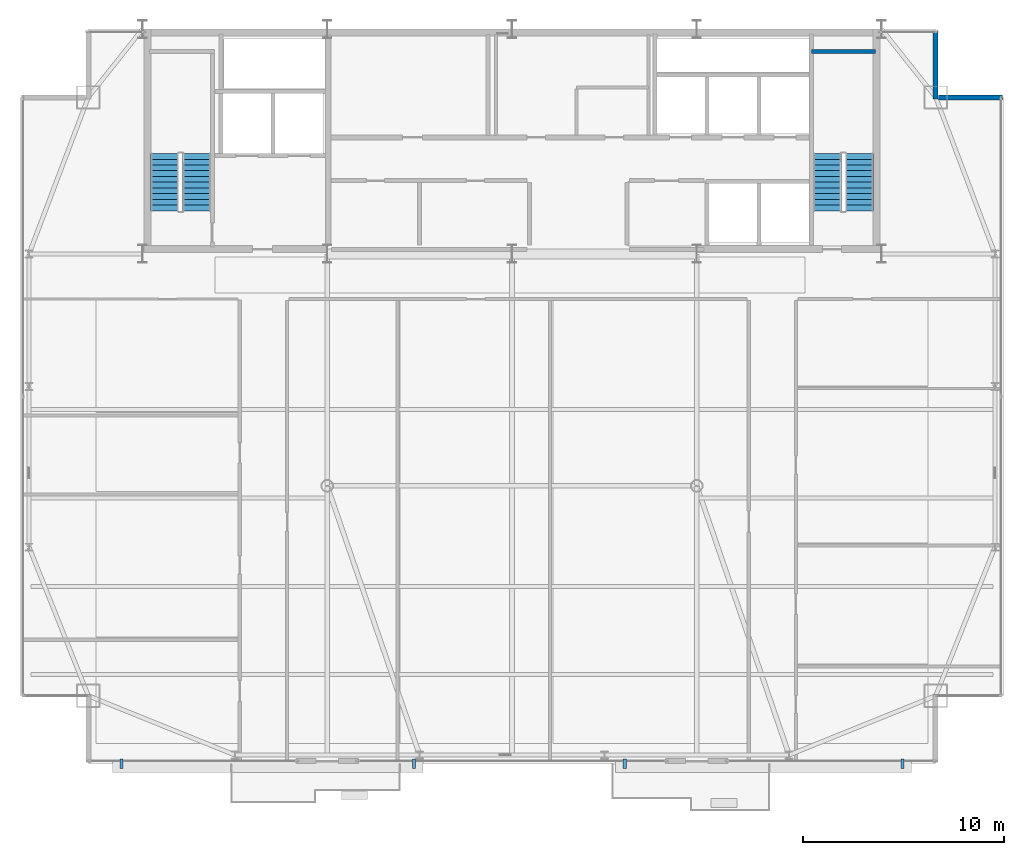
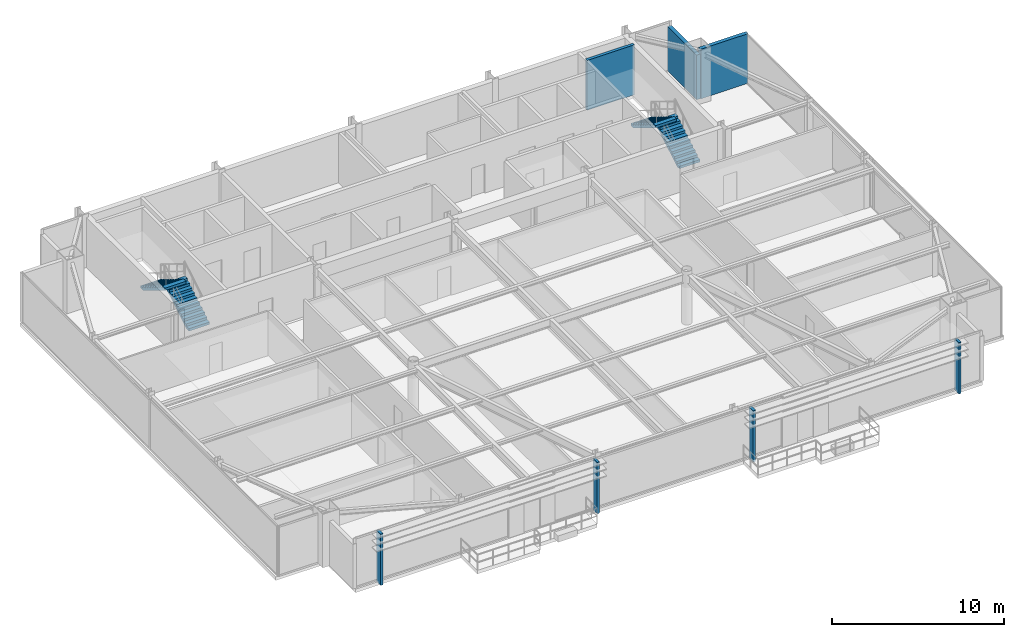
# One storey, part 28 of 30: 4 discrete accessories, 4 stair flights, 3 walls, 2 elements without a shape of their own.
"""IFC4 building model written with IfcOpenShell, lengths in metres."""

import ifcopenshell
import ifcopenshell.guid

model = None  # the IFC model being written
_history = None  # IfcOwnerHistory: only IFC2X3 demands one
_inside = {}  # id of a spatial element -> (the spatial element, [elements in it])
_under = {}  # id of a project, library or spatial element -> (it, [spatial elements below it])
_declared = {}  # id of a project -> (the project, [libraries it declares])
_typed = {}  # id of a type object -> (the type object, [elements of that type])
_made_of = {}  # id of a material, layer set ... -> (it, [elements and type objects made of it])


def new_model(schema):
    """Start an empty IFC model of exactly this schema.

    Asked for "IFC4X3", IfcOpenShell would pick the latest addendum, in which some entities
    have other attributes; the version numbers below select the first issue.
    IFC2X3 requires an IfcOwnerHistory on every rooted entity: one is made here for all.
    """
    global model, _history
    if schema == "IFC4X3":
        model = ifcopenshell.file(schema_version=(4, 3, 0, 0))
    else:
        model = ifcopenshell.file(schema=schema)
    _inside.clear()
    _under.clear()
    _declared.clear()
    _typed.clear()
    _made_of.clear()
    _history = None
    if model.schema == "IFC2X3":
        org = make("IfcOrganization", Name="unknown")
        user = make(
            "IfcPersonAndOrganization",
            ThePerson=make("IfcPerson", FamilyName="unknown"),
            TheOrganization=org,
        )
        app = make(
            "IfcApplication",
            ApplicationDeveloper=org,
            Version="unknown",
            ApplicationFullName="unknown",
            ApplicationIdentifier="unknown",
        )
        _history = make(
            "IfcOwnerHistory",
            OwningUser=user,
            OwningApplication=app,
            ChangeAction="ADDED",
            CreationDate=0,
        )
    return model


def make(cls, **values):
    """One entity of the class cls with the attributes given. An attribute that is None is left unset."""
    return model.create_entity(
        cls, **{name: value for name, value in values.items() if value is not None}
    )


def rooted(cls, **values):
    """An entity with a GlobalId (a new one), such as an element, a storey or a relation."""
    return make(cls, GlobalId=ifcopenshell.guid.new(), OwnerHistory=_history, **values)


def si_unit(unit_type, name, prefix=None):
    """IfcSIUnit, for example si_unit("LENGTHUNIT", "METRE", prefix="MILLI")."""
    return make("IfcSIUnit", UnitType=unit_type, Prefix=prefix, Name=name)


def assignment(units):
    """IfcUnitAssignment: the units of a project."""
    return None if units is None else make("IfcUnitAssignment", Units=units)


def point(xyz):
    """IfcCartesianPoint."""
    return None if xyz is None else make("IfcCartesianPoint", Coordinates=xyz)


def direction(xyz):
    """IfcDirection."""
    return None if xyz is None else make("IfcDirection", DirectionRatios=xyz)


def frame(location, z_axis=None, x_axis=None):
    """IfcAxis2Placement3D, a coordinate frame: its origin and axes. An axis left out is left unset."""
    return make(
        "IfcAxis2Placement3D",
        Location=point(location),
        Axis=direction(z_axis),
        RefDirection=direction(x_axis),
    )


def frame_2d(location, x_axis=None):
    """IfcAxis2Placement2D, a coordinate frame in the plane: its origin and x axis."""
    return make(
        "IfcAxis2Placement2D", Location=point(location), RefDirection=direction(x_axis)
    )


def origin():
    """The frame at (0, 0, 0) with its axes left unset."""
    return frame((0.0, 0.0, 0.0))


def origin_2d():
    """The frame at (0, 0) in the plane with its x axis left unset."""
    return frame_2d((0.0, 0.0))


def place(relative_to, where):
    """IfcLocalPlacement: puts the frame where relative to a parent placement (None: the world)."""
    return make(
        "IfcLocalPlacement", PlacementRelTo=relative_to, RelativePlacement=where
    )


def context(
    kind, dimensions, precision=None, world=None, true_north=None, identifier=None
):
    """IfcGeometricRepresentationContext, for example the 3D "Model" context."""
    return make(
        "IfcGeometricRepresentationContext",
        ContextIdentifier=identifier,
        ContextType=kind,
        CoordinateSpaceDimension=dimensions,
        Precision=precision,
        WorldCoordinateSystem=world,
        TrueNorth=true_north,
    )


def subcontext(parent, identifier, kind, view, scale=None):
    """IfcGeometricRepresentationSubContext, for example "Body" below "Model"."""
    return make(
        "IfcGeometricRepresentationSubContext",
        ContextIdentifier=identifier,
        ContextType=kind,
        ParentContext=parent,
        TargetScale=scale,
        TargetView=view,
    )


def project(units=None, contexts=None):
    """IfcProject with its units and contexts."""
    return rooted(
        "IfcProject",
        Name="project",
        RepresentationContexts=contexts,
        UnitsInContext=assignment(units),
    )


def spatial(cls, under=None, at=None, **own):
    """A site, building, storey or space (cls), placed at a placement, below another one or the project."""
    s = rooted(cls, ObjectPlacement=at, **own)
    if under is not None:
        _under.setdefault(under.id(), (under, []))[1].append(s)
    return s


def polyline(points):
    """IfcPolyline through the points."""
    return make("IfcPolyline", Points=[point(p) for p in points])


def profile(cls, at=None, kind="AREA", **sizes):
    """A parametric profile (cls). Its sizes go by their IFC names, for example OverallWidth=200.0."""
    return make(cls, ProfileType=kind, Position=at, **sizes)


def rectangle(**sizes):
    """IfcRectangleProfileDef."""
    return profile("IfcRectangleProfileDef", **sizes)


def outline(outer, holes=None, kind="AREA"):
    """IfcArbitraryClosedProfileDef: a profile drawn as a closed curve; with holes, ...WithVoids."""
    if holes is None:
        return make("IfcArbitraryClosedProfileDef", ProfileType=kind, OuterCurve=outer)
    return make(
        "IfcArbitraryProfileDefWithVoids",
        ProfileType=kind,
        OuterCurve=outer,
        InnerCurves=holes,
    )


def extrude(swept, where, along, depth):
    """IfcExtrudedAreaSolid: the profile swept, set in the frame where, extruded along a direction by depth."""
    return make(
        "IfcExtrudedAreaSolid",
        SweptArea=swept,
        Position=where,
        ExtrudedDirection=direction(along),
        Depth=depth,
    )


def shape(context_of_items, identifier, shape_type, items):
    """IfcShapeRepresentation: the items that make up one representation, for example the "Body"."""
    return make(
        "IfcShapeRepresentation",
        ContextOfItems=context_of_items,
        RepresentationIdentifier=identifier,
        RepresentationType=shape_type,
        Items=items,
    )


def source(mapping_origin, context_of_items, identifier, shape_type, items):
    """IfcRepresentationMap: a shape defined once, which mapped items show again and again."""
    return make(
        "IfcRepresentationMap",
        MappingOrigin=mapping_origin,
        MappedRepresentation=shape(context_of_items, identifier, shape_type, items),
    )


def transform(
    local_origin,
    x_axis=None,
    y_axis=None,
    z_axis=None,
    scale=None,
    scale2=None,
    scale3=None,
    uniform=True,
):
    """IfcCartesianTransformationOperator3D, or its non-uniform kind. x_axis, y_axis, z_axis: its Axis1, 2, 3."""
    if uniform:
        return make(
            "IfcCartesianTransformationOperator3D",
            Axis1=direction(x_axis),
            Axis2=direction(y_axis),
            LocalOrigin=point(local_origin),
            Scale=scale,
            Axis3=direction(z_axis),
        )
    return make(
        "IfcCartesianTransformationOperator3DnonUniform",
        Axis1=direction(x_axis),
        Axis2=direction(y_axis),
        LocalOrigin=point(local_origin),
        Scale=scale,
        Axis3=direction(z_axis),
        Scale2=scale2,
        Scale3=scale3,
    )


def mapped(mapping_source, mapping_target):
    """IfcMappedItem: shows the shape of a source again, moved by a transform."""
    return make(
        "IfcMappedItem", MappingSource=mapping_source, MappingTarget=mapping_target
    )


def material(Name=None, Category=None):
    """IfcMaterial."""
    return make("IfcMaterial", Name=Name, Category=Category)


def layer(
    of_material, thickness, ventilated=None, Name=None, Category=None, Priority=None
):
    """IfcMaterialLayer: one layer of a wall or slab, of a material (None: an air gap)."""
    return make(
        "IfcMaterialLayer",
        Material=of_material,
        LayerThickness=thickness,
        IsVentilated=ventilated,
        Name=Name,
        Category=Category,
        Priority=Priority,
    )


def layer_set(layers, Name=None):
    """IfcMaterialLayerSet."""
    return make("IfcMaterialLayerSet", MaterialLayers=layers, LayerSetName=Name)


def made_of(thing, what):
    """Note that an element or type object is made of a material, layer set ...; save() writes the relation."""
    if what is not None:
        _made_of.setdefault(what.id(), (what, []))[1].append(thing)
    return thing


def type_object(cls, material=None, **own):
    """A type object (cls), such as IfcWallType, which elements share."""
    return made_of(rooted(cls, **own), material)


def type_shapes(of_type, sources):
    """Give a type object the sources (RepresentationMaps) that its elements show as mapped items."""
    of_type.RepresentationMaps = sources


def element(
    cls,
    number,
    at=None,
    inside=None,
    cuts=None,
    type_object=None,
    material=None,
    context=None,
    identifier="Body",
    shape_type=None,
    held_by="IfcProductDefinitionShape",
    body=None,
    shapes=None,
    **own,
):
    """One element of the class cls, such as IfcWall. Its Tag is "e" and its number.

    at: its placement. inside: the storey or other place that contains it. cuts: it is an
    opening in that element (IfcRelVoidsElement). A single representation is given by context,
    identifier, shape_type and body (its items); several are given by shapes. held_by: the class
    of the entity that holds the representations. save() writes the other relations.
    """
    e = rooted(cls, Tag="e%d" % number, ObjectPlacement=at, **own)
    if body is not None:
        shapes = [shape(context, identifier, shape_type, body)]
    if shapes is not None:
        e.Representation = make(held_by, Representations=shapes)
    if inside is not None:
        _inside.setdefault(inside.id(), (inside, []))[1].append(e)
    if cuts is not None:
        rooted(
            "IfcRelVoidsElement", RelatingBuildingElement=cuts, RelatedOpeningElement=e
        )
    if type_object is not None:
        _typed.setdefault(type_object.id(), (type_object, []))[1].append(e)
    return made_of(e, material)


def aggregate(whole, parts):
    """IfcRelAggregates: a whole, such as a stair, and the parts it consists of."""
    return rooted("IfcRelAggregates", RelatingObject=whole, RelatedObjects=parts)


def save(model, path):
    """Write the relations noted so far, then the file.

    IfcRelAggregates (storeys below a building ...), IfcRelContainedInSpatialStructure (elements
    in a storey), IfcRelDefinesByType, IfcRelAssociatesMaterial and IfcRelDeclares: one each for
    every whole, place, type object, material and project.
    """
    for whole, parts in _under.values():
        aggregate(whole, parts)
    for where, things in _inside.values():
        rooted(
            "IfcRelContainedInSpatialStructure",
            RelatedElements=things,
            RelatingStructure=where,
        )
    for kind, things in _typed.values():
        rooted("IfcRelDefinesByType", RelatedObjects=things, RelatingType=kind)
    for what, things in _made_of.values():
        rooted("IfcRelAssociatesMaterial", RelatedObjects=things, RelatingMaterial=what)
    for by, libraries in _declared.values():
        rooted("IfcRelDeclares", RelatingContext=by, RelatedDefinitions=libraries)
    model.write(path)


model = new_model("IFC4")

# Units and contexts
model_context = context("Model", 3, precision=1e-05, world=origin(), true_north=direction((0.0, 1.0)))
body_context = subcontext(model_context, "Body", "Model", "MODEL_VIEW")
ifc_project = project(units=[si_unit("LENGTHUNIT", "METRE"), si_unit("AREAUNIT", "SQUARE_METRE"), si_unit("VOLUMEUNIT", "CUBIC_METRE"), si_unit("PLANEANGLEUNIT", "RADIAN"), si_unit("MASSUNIT", "GRAM", prefix="KILO")], contexts=[model_context])

# Site, building, storey
site_placement = place(None, origin())
site = spatial("IfcSite", under=ifc_project, at=site_placement, CompositionType="ELEMENT")
building_placement = place(site_placement, origin())
building = spatial("IfcBuilding", under=site, at=building_placement, Name="Varnel Quay Broadcast Tower", CompositionType="ELEMENT")
storey_placement = place(building_placement, frame((0.0, 0.0, 207.39990234375)))
storey = spatial("IfcBuildingStorey", under=building, at=storey_placement, Name="L51", CompositionType="ELEMENT", Elevation=207.39990234375)

# Walls
ifc_material_1 = material(Name="Concrete CSA A23.3 C50/60", Category="concrete")
ifc_layer_1 = layer(ifc_material_1, 0.199951171875, Name="Concrete CSA A23.3 C50/60")
ifc_layer_set_1 = layer_set([ifc_layer_1], Name="Concrete CSA A23.3 C50/60")
wall_type_1 = type_object("IfcWallType", Name="Wall_CoreShaftShear200", PredefinedType="SHEAR", material=ifc_layer_set_1)
wall_1_placement = place(storey_placement, frame((48.919921875, 45.679931640625, 0.0), z_axis=(0.0, 0.0, 1.0), x_axis=(1.0, 0.0, 0.0)))
element("IfcWall", 1, at=wall_1_placement, inside=storey, type_object=wall_type_1, Name="L51 Stair 2 North Structural Wall", PredefinedType="SHEAR", context=body_context, shape_type="SweptSolid", body=[
    extrude(rectangle(XDim=3.18017578125, YDim=0.199951171875, at=frame_2d((1.590087890625, 0.0))), origin(), (0.0, 0.0, 1.0), 3.550048828125),
])
ifc_material_2 = material(Name="Precast Architectural Concrete C40/50", Category="concrete")
ifc_layer_2 = layer(ifc_material_2, 0.25, Name="Precast Architectural Concrete C40/50")
ifc_layer_set_2 = layer_set([ifc_layer_2], Name="Precast Architectural Concrete C40/50")
wall_type_2 = type_object("IfcWallType", Name="Wall_ExtTerrace250", PredefinedType="SOLIDWALL", material=ifc_layer_set_2)
wall_2_placement = place(storey_placement, frame((55.22998046875, 43.39990234375, 0.0), z_axis=(0.0, 0.0, 1.0), x_axis=(1.0, 0.0, 0.0)))
element("IfcWall", 2, at=wall_2_placement, inside=storey, type_object=wall_type_2, Name="L51 Mega-Column Notch Cladding Wall NNE1", PredefinedType="SOLIDWALL", context=body_context, shape_type="SweptSolid", body=[
    extrude(rectangle(XDim=3.18994140625, YDim=0.25, at=frame_2d((1.594970703125, 0.0))), origin(), (0.0, 0.0, 1.0), 3.530029296875),
])
wall_3_placement = place(storey_placement, frame((55.10009765625, 43.320068359375, 0.0), z_axis=(0.0, 0.0, 1.0), x_axis=(0.0, 1.0, 0.0)))
element("IfcWall", 3, at=wall_3_placement, inside=storey, type_object=wall_type_2, Name="L51 Mega-Column Notch Cladding Wall NNE2", PredefinedType="SOLIDWALL", context=body_context, shape_type="SweptSolid", body=[
    extrude(rectangle(XDim=3.39990234375, YDim=0.25, at=frame_2d((1.699951171875, 0.0))), origin(), (0.0, 0.0, 1.0), 3.171142578125),
])

# Stair, stair flights
ifc_material_3 = material(Name="Precast Structural Concrete C40/50", Category="concrete")
stair_type_1 = type_object("IfcStairType", Name="Stair_ST-01", PredefinedType="HALF_TURN_STAIR", material=ifc_material_3)
stair_1_placement = place(storey_placement, origin())
stair_1 = element("IfcStair", 4, at=stair_1_placement, inside=storey, type_object=stair_type_1, Name="L51 West Core Exit Stair 1", PredefinedType="HALF_TURN_STAIR")
stair_flight_type_1 = type_object("IfcStairFlightType", Name="Flight_ST-01", PredefinedType="STRAIGHT", material=ifc_material_3)
stair_flight_1_placement = place(storey_placement, frame((18.300048828125, 37.75, 0.0), z_axis=(0.0, 0.0, 1.0), x_axis=(0.0, 1.0, 0.0)))
stair_flight_1 = element("IfcStairFlight", 5, at=stair_flight_1_placement, type_object=stair_flight_type_1, Name="ST-01 flight 1", NumberOfRisers=11, NumberOfTreads=10, PredefinedType="STRAIGHT", RiserHeight=0.172727273, TreadLength=0.285, context=body_context, shape_type="SweptSolid", body=[
    extrude(outline(polyline([(0.0, 0.0), (0.0, 0.172607421875), (0.284912109375, 0.172607421875), (0.284912109375, 0.345458984375), (0.570068359375, 0.345458984375), (0.570068359375, 0.51806640625), (0.85498046875, 0.51806640625), (0.85498046875, 0.69091796875), (1.139892578125, 0.69091796875), (1.139892578125, 0.863525390625), (1.425048828125, 0.863525390625), (1.425048828125, 1.036376953125), (1.7099609375, 1.036376953125), (1.7099609375, 1.208984375), (1.9951171875, 1.208984375), (1.9951171875, 1.3818359375), (2.280029296875, 1.3818359375), (2.280029296875, 1.554443359375), (2.56494140625, 1.554443359375), (2.56494140625, 1.727294921875), (2.85009765625, 1.727294921875), (2.85009765625, 1.89990234375), (2.85009765625, 1.552001953125), (0.289306640625, 0.0), (0.0, 0.0)])), frame((0.0, 0.699951171875, 0.0), z_axis=(0.0, -1.0, 0.0), x_axis=(1.0, 0.0, 0.0)), (0.0, 0.0, 1.0), 1.39990234375),
])
stair_flight_2_placement = place(storey_placement, frame((16.699951171875, 40.60009765625, 1.900146484375), z_axis=(0.0, 0.0, 1.0), x_axis=(0.0, -1.0, 0.0)))
stair_flight_2 = element("IfcStairFlight", 6, at=stair_flight_2_placement, type_object=stair_flight_type_1, Name="ST-01 flight 2", NumberOfRisers=11, NumberOfTreads=10, PredefinedType="STRAIGHT", RiserHeight=0.172727273, TreadLength=0.285, context=body_context, shape_type="SweptSolid", body=[
    extrude(outline(polyline([(0.0, 0.0), (0.0, 0.172607421875), (0.284912109375, 0.172607421875), (0.284912109375, 0.345458984375), (0.570068359375, 0.345458984375), (0.570068359375, 0.51806640625), (0.85498046875, 0.51806640625), (0.85498046875, 0.69091796875), (1.139892578125, 0.69091796875), (1.139892578125, 0.863525390625), (1.425048828125, 0.863525390625), (1.425048828125, 1.036376953125), (1.7099609375, 1.036376953125), (1.7099609375, 1.208984375), (1.9951171875, 1.208984375), (1.9951171875, 1.3818359375), (2.280029296875, 1.3818359375), (2.280029296875, 1.554443359375), (2.56494140625, 1.554443359375), (2.56494140625, 1.727294921875), (2.85009765625, 1.727294921875), (2.85009765625, 1.89990234375), (2.85009765625, 1.552001953125), (0.289306640625, 0.0), (0.0, 0.0)])), frame((0.0, 0.699951171875, 0.0), z_axis=(0.0, -1.0, 0.0), x_axis=(1.0, 0.0, 0.0)), (0.0, 0.0, 1.0), 1.39990234375),
])
aggregate(stair_1, [stair_flight_1, stair_flight_2])

stair_type_2 = type_object("IfcStairType", Name="Stair_ST-02", PredefinedType="HALF_TURN_STAIR", material=ifc_material_3)
stair_2_placement = place(storey_placement, origin())
stair_2 = element("IfcStair", 7, at=stair_2_placement, inside=storey, type_object=stair_type_2, Name="L51 East Core Exit Stair 2", PredefinedType="HALF_TURN_STAIR")
stair_flight_type_2 = type_object("IfcStairFlightType", Name="Flight_ST-02", PredefinedType="STRAIGHT", material=ifc_material_3)
stair_flight_3_placement = place(storey_placement, frame((51.300048828125, 37.75, 0.0), z_axis=(0.0, 0.0, 1.0), x_axis=(0.0, 1.0, 0.0)))
stair_flight_3 = element("IfcStairFlight", 8, at=stair_flight_3_placement, type_object=stair_flight_type_2, Name="ST-02 flight 1", NumberOfRisers=11, NumberOfTreads=10, PredefinedType="STRAIGHT", RiserHeight=0.172727273, TreadLength=0.285, context=body_context, shape_type="SweptSolid", body=[
    extrude(outline(polyline([(0.0, 0.0), (0.0, 0.172607421875), (0.284912109375, 0.172607421875), (0.284912109375, 0.345458984375), (0.570068359375, 0.345458984375), (0.570068359375, 0.51806640625), (0.85498046875, 0.51806640625), (0.85498046875, 0.69091796875), (1.139892578125, 0.69091796875), (1.139892578125, 0.863525390625), (1.425048828125, 0.863525390625), (1.425048828125, 1.036376953125), (1.7099609375, 1.036376953125), (1.7099609375, 1.208984375), (1.9951171875, 1.208984375), (1.9951171875, 1.3818359375), (2.280029296875, 1.3818359375), (2.280029296875, 1.554443359375), (2.56494140625, 1.554443359375), (2.56494140625, 1.727294921875), (2.85009765625, 1.727294921875), (2.85009765625, 1.89990234375), (2.85009765625, 1.552001953125), (0.289306640625, 0.0), (0.0, 0.0)])), frame((0.0, 0.699951171875, 0.0), z_axis=(0.0, -1.0, 0.0), x_axis=(1.0, 0.0, 0.0)), (0.0, 0.0, 1.0), 1.39990234375),
])
stair_flight_4_placement = place(storey_placement, frame((49.699951171875, 40.60009765625, 1.900146484375), z_axis=(0.0, 0.0, 1.0), x_axis=(0.0, -1.0, 0.0)))
stair_flight_4 = element("IfcStairFlight", 9, at=stair_flight_4_placement, type_object=stair_flight_type_2, Name="ST-02 flight 2", NumberOfRisers=11, NumberOfTreads=10, PredefinedType="STRAIGHT", RiserHeight=0.172727273, TreadLength=0.285, context=body_context, shape_type="SweptSolid", body=[
    extrude(outline(polyline([(0.0, 0.0), (0.0, 0.172607421875), (0.284912109375, 0.172607421875), (0.284912109375, 0.345458984375), (0.570068359375, 0.345458984375), (0.570068359375, 0.51806640625), (0.85498046875, 0.51806640625), (0.85498046875, 0.69091796875), (1.139892578125, 0.69091796875), (1.139892578125, 0.863525390625), (1.425048828125, 0.863525390625), (1.425048828125, 1.036376953125), (1.7099609375, 1.036376953125), (1.7099609375, 1.208984375), (1.9951171875, 1.208984375), (1.9951171875, 1.3818359375), (2.280029296875, 1.3818359375), (2.280029296875, 1.554443359375), (2.56494140625, 1.554443359375), (2.56494140625, 1.727294921875), (2.85009765625, 1.727294921875), (2.85009765625, 1.89990234375), (2.85009765625, 1.552001953125), (0.289306640625, 0.0), (0.0, 0.0)])), frame((0.0, 0.699951171875, 0.0), z_axis=(0.0, -1.0, 0.0), x_axis=(1.0, 0.0, 0.0)), (0.0, 0.0, 1.0), 1.39990234375),
])
aggregate(stair_2, [stair_flight_3, stair_flight_4])

# Discrete accessories
ifc_material_4 = material(Name="Anodised Bronze Aluminium 6063-T6", Category="aluminium")
ifc_layer_3 = layer(ifc_material_4, 0.47998046875, Name="Anodised Bronze Aluminium 6063-T6")
ifc_layer_set_3 = layer_set([ifc_layer_3], Name="Anodised Bronze Aluminium 6063-T6")
discrete_accessory_type = type_object("IfcDiscreteAccessoryType", Name="Acc_FacadeBracket", PredefinedType="BRACKET", material=ifc_layer_set_3)
shared_shape = source(origin(), body_context, "Body", "SweptSolid", [
    extrude(rectangle(XDim=0.159912109375, YDim=0.47998046875, at=origin_2d()), origin(), (0.0, 0.0, 1.0), 3.64990234375),
])
type_shapes(discrete_accessory_type, [shared_shape])
for number, where, z_axis, x_axis, name in (
    (10, (14.550048828125, 10.219970703125, -0.14990234375), (0.0, 0.0, 1.0), (1.0, 0.0, 0.0), "L51 Lobe 1 Louvre Support Bracket 1"),
    (11, (29.115966796875, 10.219970703125, -0.14990234375), (0.0, 0.0, 1.0), (1.0, 0.0, 0.0), "L51 Lobe 1 Louvre Support Bracket 2"),
    (12, (39.615966796875, 10.219970703125, -0.14990234375), (0.0, 0.0, 1.0), (1.0, 0.0, 0.0), "L51 Lobe 2 Louvre Support Bracket 1"),
    (13, (53.449951171875, 10.219970703125, -0.14990234375), (0.0, 0.0, 1.0), (1.0, 0.0, 0.0), "L51 Lobe 2 Louvre Support Bracket 2"),
):
    element("IfcDiscreteAccessory", number, at=place(storey_placement, frame(where, z_axis=z_axis, x_axis=x_axis)), inside=storey, type_object=discrete_accessory_type, Name=name, PredefinedType="BRACKET", context=body_context, shape_type="MappedRepresentation", body=[
        mapped(shared_shape, transform((0.0, 0.0, 0.0), x_axis=(1.0, 0.0, 0.0), y_axis=(0.0, 1.0, 0.0), z_axis=(0.0, 0.0, 1.0), scale=1.0)),
    ])

save(model, "model.ifc")
